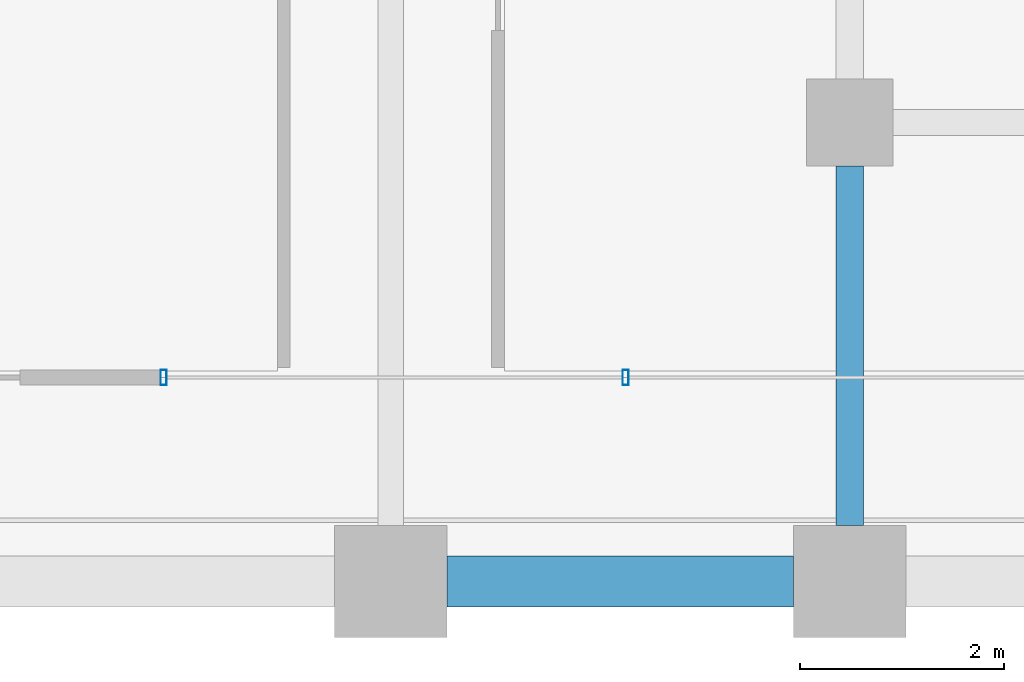
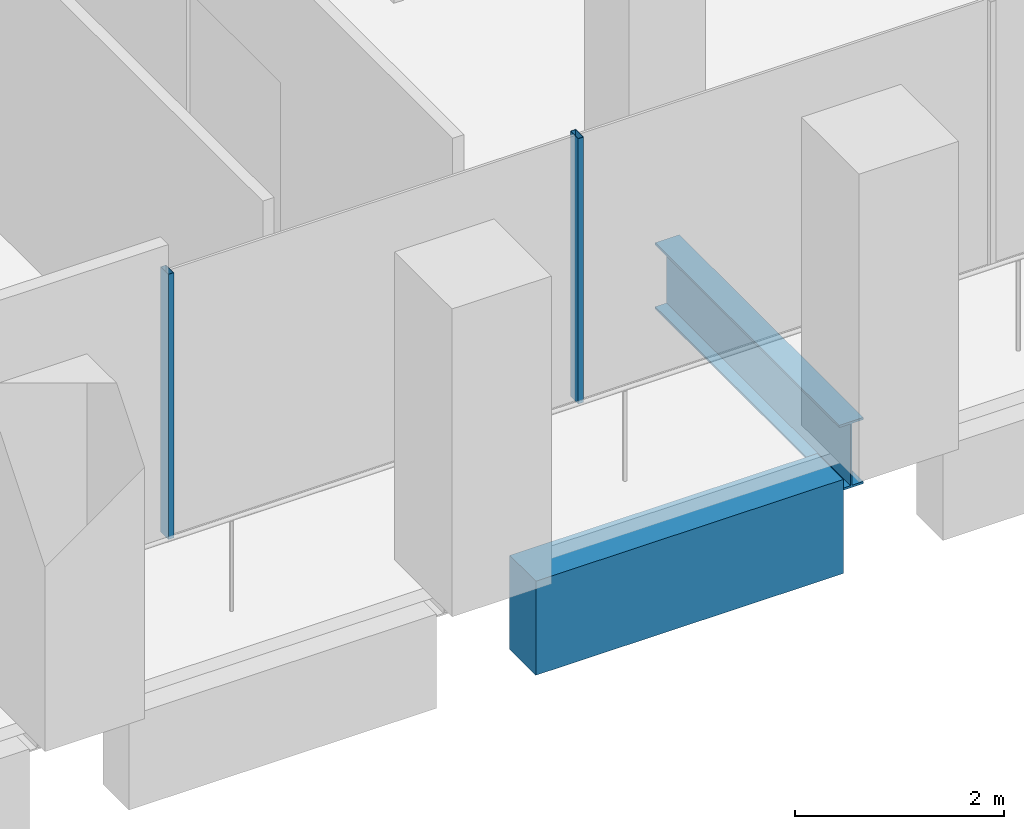
# One storey, part 9 of 54: 2 beams, 2 members, 1 element without a shape of its own.
"""IFC4 building model written with IfcOpenShell, lengths in metres."""

from ifc_helpers import new_model, si_unit, direction, frame, origin, origin_2d, place, context, subcontext, project, spatial, rectangle, hollow_rectangle, i_section, extrude, material, material_profile, profile_set, type_object, element, aggregate, save


model = new_model("IFC4")

# Units and contexts
model_context = context("Model", 3, precision=1e-05, world=origin(), true_north=direction((0.0, 1.0)))
body_context = subcontext(model_context, "Body", "Model", "MODEL_VIEW")
ifc_project = project(units=[si_unit("LENGTHUNIT", "METRE"), si_unit("AREAUNIT", "SQUARE_METRE"), si_unit("VOLUMEUNIT", "CUBIC_METRE"), si_unit("PLANEANGLEUNIT", "RADIAN"), si_unit("MASSUNIT", "GRAM", prefix="KILO")], contexts=[model_context])

# Site, building, storey
site_placement = place(None, origin())
site = spatial("IfcSite", under=ifc_project, at=site_placement, CompositionType="ELEMENT")
building_placement = place(site_placement, origin())
building = spatial("IfcBuilding", under=site, at=building_placement, Name="Altepetl Exchange Towers", CompositionType="ELEMENT")
storey_placement = place(building_placement, frame((0.0, 0.0, 61.800048828125)))
storey = spatial("IfcBuildingStorey", under=building, at=storey_placement, Name="L14", CompositionType="ELEMENT", Elevation=61.800048828125)

# Beam
ifc_material_1 = material(Name="Steel S355", Category="steel")
ifc_material_profile_1 = material_profile(ifc_material_1, i_section(OverallWidth=0.26806640625, OverallDepth=0.77392578125, WebThickness=0.015380859375, FlangeThickness=0.025390625, at=origin_2d()), Name="W30X132")
ifc_profile_set_1 = profile_set([ifc_material_profile_1], Name="Steel S355")
beam_type_1 = type_object("IfcBeamType", Name="Girder W30X132", PredefinedType="BEAM", material=ifc_profile_set_1)
beam_1_placement = place(storey_placement, frame((58.5, 31.074951171875, -0.537109375), z_axis=(0.0, -1.0, 0.0), x_axis=(1.0, 0.0, 0.0)))
element("IfcBeam", 1, at=beam_1_placement, inside=storey, type_object=beam_type_1, Name="gd:A:L14:008", PredefinedType="BEAM", context=body_context, shape_type="SweptSolid", body=[
    extrude(i_section(OverallWidth=0.26806640625, OverallDepth=0.77392578125, WebThickness=0.015380859375, FlangeThickness=0.025390625, at=origin_2d()), origin(), (0.0, 0.0, 1.0), 3.52490234375),
])

# Curtain wall, members
ifc_material_2 = material(Name="Aluminium 6063-T6 glazing", Category="aluminium")
curtain_wall_type = type_object("IfcCurtainWallType", Name="Loggia glazing system", PredefinedType="NOTDEFINED", material=ifc_material_2)
curtain_wall_placement = place(storey_placement, origin())
curtain_wall = element("IfcCurtainWall", 2, at=curtain_wall_placement, inside=storey, type_object=curtain_wall_type, Name="CW1 run", PredefinedType="NOTDEFINED")
ifc_material_3 = material(Name="Aluminium 6063-T6", Category="aluminium")
ifc_material_profile_2 = material_profile(ifc_material_3, hollow_rectangle(XDim=0.06005859375, YDim=0.14990234375, WallThickness=0.0029296875, at=origin_2d()), Name="Mullion 60x150 aluminium")
ifc_profile_set_2 = profile_set([ifc_material_profile_2], Name="Aluminium 6063-T6")
member_type = type_object("IfcMemberType", Name="Mullion 60x150 aluminium", PredefinedType="MULLION", material=ifc_profile_set_2)
member_1_placement = place(storey_placement, frame((51.77294921875, 29.0, 0.0)))
member_1 = element("IfcMember", 3, at=member_1_placement, type_object=member_type, Name="MU1 mullion", PredefinedType="MULLION", context=body_context, shape_type="SweptSolid", body=[
    extrude(hollow_rectangle(XDim=0.06005859375, YDim=0.14990234375, WallThickness=0.0029296875, at=origin_2d()), origin(), (0.0, 0.0, 1.0), 3.099853515625),
])
member_2_placement = place(storey_placement, frame((56.303466796875, 29.0, 0.0)))
member_2 = element("IfcMember", 4, at=member_2_placement, type_object=member_type, Name="MU1 mullion", PredefinedType="MULLION", context=body_context, shape_type="SweptSolid", body=[
    extrude(hollow_rectangle(XDim=0.06005859375, YDim=0.14990234375, WallThickness=0.0029296875, at=origin_2d()), origin(), (0.0, 0.0, 1.0), 3.099853515625),
])
aggregate(curtain_wall, [member_1, member_2])

# Beam
ifc_material_4 = material(Name="Concrete C50/60 precast with cantera blanca facing", Category="concrete")
ifc_material_profile_3 = material_profile(ifc_material_4, rectangle(XDim=0.5, YDim=1.10009765625, at=origin_2d()), Name="500 x 1100")
ifc_profile_set_3 = profile_set([ifc_material_profile_3], Name="Concrete C50/60 precast with cantera blanca facing")
beam_type_2 = type_object("IfcBeamType", Name="Spandrel beam 500x1100 cantera blanca", PredefinedType="SPANDREL", material=ifc_profile_set_3)
beam_2_placement = place(storey_placement, frame((54.550048828125, 27.0, -0.699951171875), z_axis=(1.0, 0.0, 0.0), x_axis=(0.0, 1.0, 0.0)))
element("IfcBeam", 5, at=beam_2_placement, inside=storey, type_object=beam_type_2, Name="sp:A:L14:005", PredefinedType="SPANDREL", context=body_context, shape_type="SweptSolid", body=[
    extrude(rectangle(XDim=0.5, YDim=1.10009765625, at=origin_2d()), origin(), (0.0, 0.0, 1.0), 3.39990234375),
])

save(model, "model.ifc")
